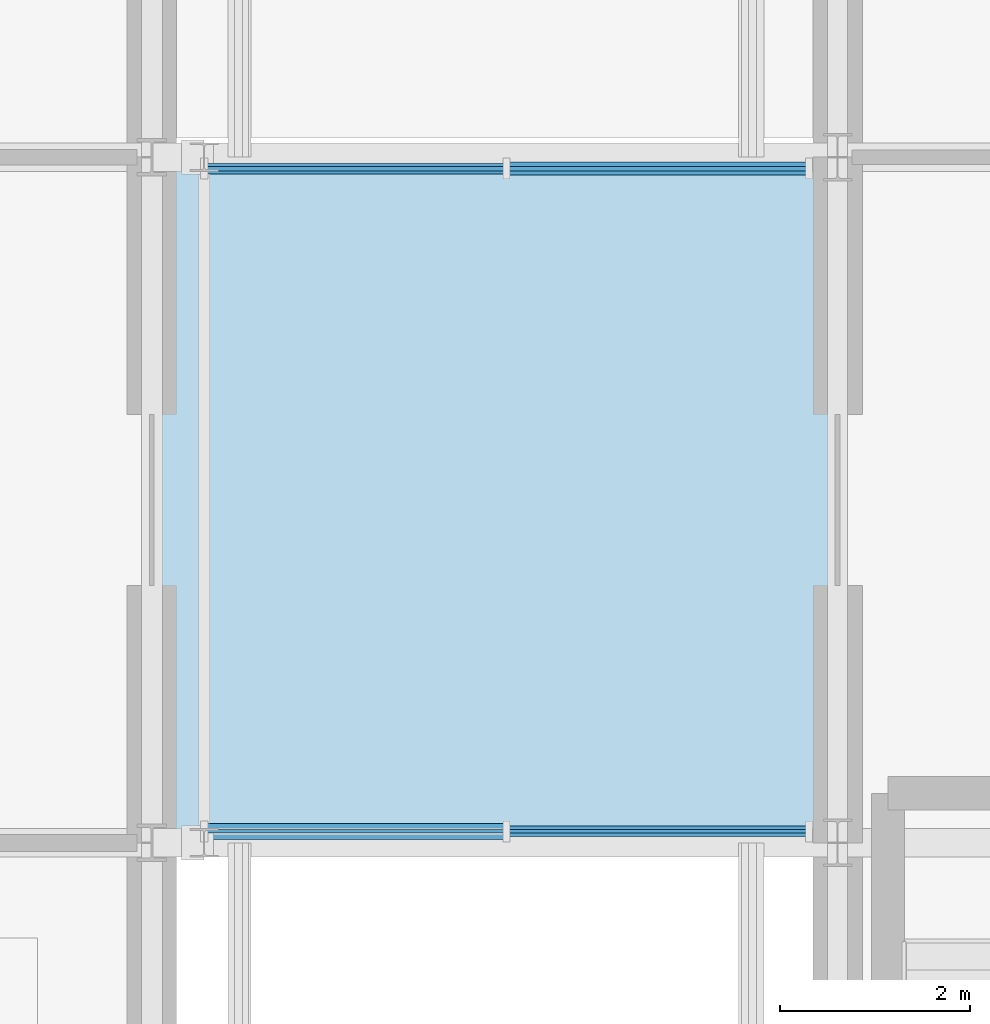
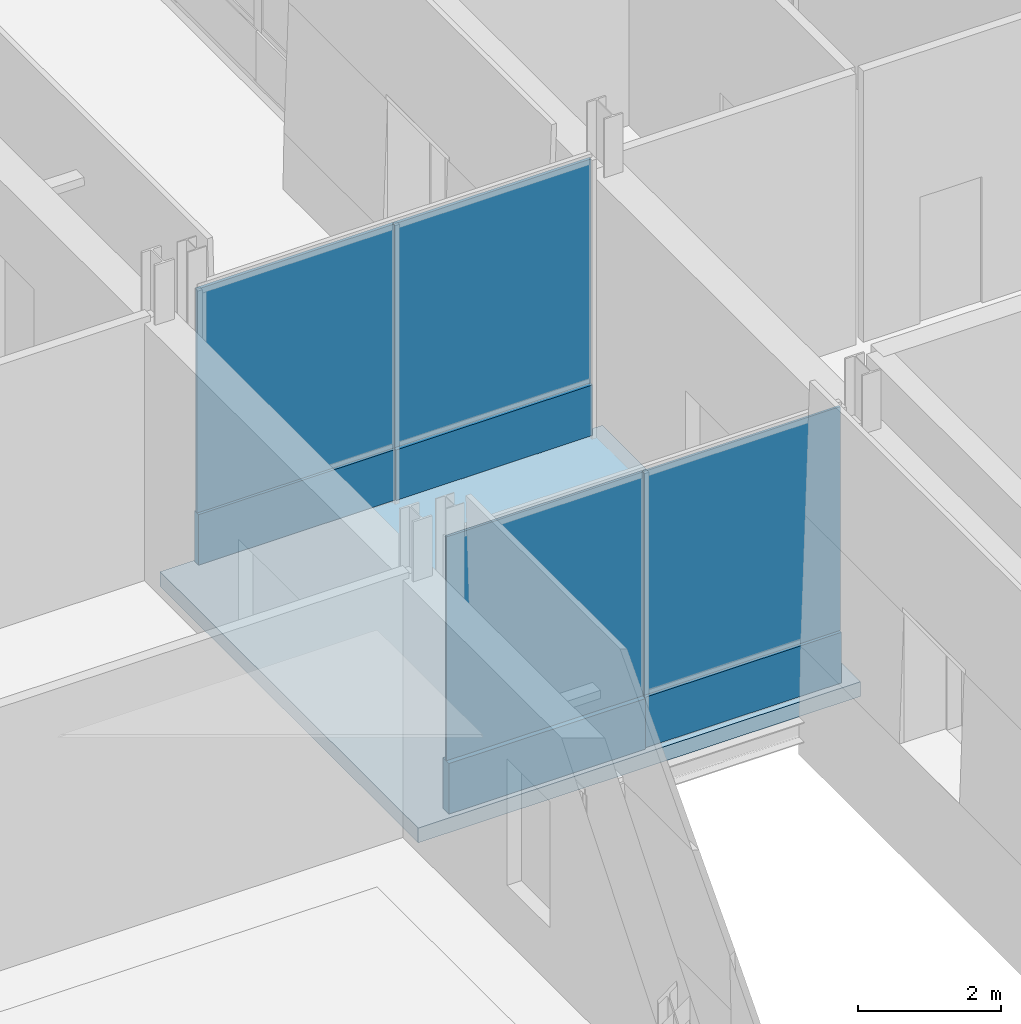
# One storey, part 55 of 120: 8 plates, 1 slab, 2 elements without a shape of their own.
"""IFC4 building model written with IfcOpenShell, lengths in metres."""

from ifc_helpers import new_model, si_unit, direction, frame, origin, origin_2d, place, context, subcontext, project, spatial, polyline, rectangle, outline, extrude, material, layer, layer_set, type_object, element, aggregate, save


model = new_model("IFC4")

# Units and contexts
model_context = context("Model", 3, precision=1e-05, world=origin(), true_north=direction((0.0, 1.0)))
body_context = subcontext(model_context, "Body", "Model", "MODEL_VIEW")
ifc_project = project(units=[si_unit("LENGTHUNIT", "METRE"), si_unit("AREAUNIT", "SQUARE_METRE"), si_unit("VOLUMEUNIT", "CUBIC_METRE"), si_unit("PLANEANGLEUNIT", "RADIAN"), si_unit("MASSUNIT", "GRAM", prefix="KILO")], contexts=[model_context])

# Site, building, storey
site_placement = place(None, origin())
site = spatial("IfcSite", under=ifc_project, at=site_placement, CompositionType="ELEMENT")
building_placement = place(site_placement, origin())
building = spatial("IfcBuilding", under=site, at=building_placement, Name="Narikvali Park Central Library", CompositionType="ELEMENT")
storey_placement = place(building_placement, origin())
storey = spatial("IfcBuildingStorey", under=building, at=storey_placement, Name="L00", CompositionType="ELEMENT", Elevation=0.0)

# Slab
ifc_material_1 = material(Name="Concrete C40/50", Category="concrete")
ifc_layer_1 = layer(ifc_material_1, 0.25, Name="Concrete C40/50")
ifc_layer_set_1 = layer_set([ifc_layer_1], Name="Concrete C40/50")
slab_type = type_object("IfcSlabType", Name="Bridge Sliding Deck Slab 250", PredefinedType="FLOOR", material=ifc_layer_set_1)
slab_placement = place(storey_placement, frame((0.0, 0.0, -0.25)))
element("IfcSlab", 1, at=slab_placement, inside=storey, type_object=slab_type, Name="BRG-1 L00 Covered Bridge Deck", PredefinedType="FLOOR", context=body_context, shape_type="SweptSolid", body=[
    extrude(outline(polyline([(21.639892578125, 64.800048828125), (28.760009765625, 64.800048828125), (28.760009765625, 72.0), (21.639892578125, 72.0), (21.639892578125, 64.800048828125)])), origin(), (0.0, 0.0, 1.0), 0.25),
])

# Curtain wall, plates
ifc_material_2 = material(Name="Anodised Bronze Aluminium", Category="aluminium")
ifc_layer_2 = layer(ifc_material_2, 0.219970703125, Name="Anodised Bronze Aluminium")
ifc_layer_set_2 = layer_set([ifc_layer_2], Name="Anodised Bronze Aluminium")
curtain_wall_type = type_object("IfcCurtainWallType", Name="Bridge Covered Passage Glazing System", PredefinedType="NOTDEFINED", material=ifc_layer_set_2)
curtain_wall_1_placement = place(storey_placement, origin())
curtain_wall_1 = element("IfcCurtainWall", 2, at=curtain_wall_1_placement, inside=storey, type_object=curtain_wall_type, Name="Bridge Covered Passage Glazing System CW-BRG-1-L00-S1", PredefinedType="NOTDEFINED")
ifc_material_3 = material(Name="Anodised Bronze Acoustic Spandrel Cassette")
ifc_layer_3 = layer(ifc_material_3, 0.1650390625, Name="Anodised Bronze Acoustic Spandrel Cassette")
ifc_layer_set_3 = layer_set([ifc_layer_3], Name="Anodised Bronze Acoustic Spandrel Cassette")
plate_type_1 = type_object("IfcPlateType", Name="Curtain Wall Acoustic Plenum Louvre Cassette 165", PredefinedType="CURTAIN_PANEL", material=ifc_layer_set_3)
plate_1_placement = place(storey_placement, frame((23.737548828125, 64.919921875, 0.03515625), z_axis=(0.0, 0.0, 1.0), x_axis=(1.0, 0.0, 0.0)))
plate_1 = element("IfcPlate", 3, at=plate_1_placement, type_object=plate_type_1, Name="CW-BRG-1-L00-S1 Panel 00-0", PredefinedType="CURTAIN_PANEL", context=body_context, shape_type="SweptSolid", body=[
    extrude(rectangle(XDim=3.1650390625, YDim=0.1650390625, at=origin_2d()), origin(), (0.0, 0.0, 1.0), 0.860107421875),
])
ifc_material_4 = material(Name="Double Low-E Tempered Vision Glazing", Category="glass")
ifc_layer_4 = layer(ifc_material_4, 0.035888671875, Name="Double Low-E Tempered Vision Glazing")
ifc_layer_set_4 = layer_set([ifc_layer_4], Name="Double Low-E Tempered Vision Glazing")
plate_type_2 = type_object("IfcPlateType", Name="Curtain Wall Double Low-E Vision Glazing 36", PredefinedType="CURTAIN_PANEL", material=ifc_layer_set_4)
plate_2_placement = place(storey_placement, frame((23.737548828125, 64.919921875, 0.905029296875), z_axis=(0.0, 0.0, 1.0), x_axis=(1.0, 0.0, 0.0)))
plate_2 = element("IfcPlate", 4, at=plate_2_placement, type_object=plate_type_2, Name="CW-BRG-1-L00-S1 Panel 00-1", PredefinedType="CURTAIN_PANEL", context=body_context, shape_type="SweptSolid", body=[
    extrude(rectangle(XDim=3.1650390625, YDim=0.035888671875, at=origin_2d()), origin(), (0.0, 0.0, 1.0), 3.81005859375),
])
plate_3_placement = place(storey_placement, frame((26.91259765625, 64.919921875, 0.905029296875), z_axis=(0.0, 0.0, 1.0), x_axis=(1.0, 0.0, 0.0)))
plate_3 = element("IfcPlate", 5, at=plate_3_placement, type_object=plate_type_2, Name="CW-BRG-1-L00-S1 Panel 01-1", PredefinedType="CURTAIN_PANEL", context=body_context, shape_type="SweptSolid", body=[
    extrude(rectangle(XDim=3.1650390625, YDim=0.035888671875, at=origin_2d()), origin(), (0.0, 0.0, 1.0), 3.81005859375),
])
ifc_material_5 = material(Name="Anodised Bronze Insulated Spandrel Cassette")
ifc_layer_5 = layer(ifc_material_5, 0.110107421875, Name="Anodised Bronze Insulated Spandrel Cassette")
ifc_layer_set_5 = layer_set([ifc_layer_5], Name="Anodised Bronze Insulated Spandrel Cassette")
plate_type_3 = type_object("IfcPlateType", Name="Curtain Wall Insulated Bronze Spandrel Cassette 110", PredefinedType="CURTAIN_PANEL", material=ifc_layer_set_5)
plate_4_placement = place(storey_placement, frame((26.91259765625, 64.919921875, 0.03515625), z_axis=(0.0, 0.0, 1.0), x_axis=(1.0, 0.0, 0.0)))
plate_4 = element("IfcPlate", 6, at=plate_4_placement, type_object=plate_type_3, Name="CW-BRG-1-L00-S1 Panel 01-0", PredefinedType="CURTAIN_PANEL", context=body_context, shape_type="SweptSolid", body=[
    extrude(rectangle(XDim=3.1650390625, YDim=0.110107421875, at=origin_2d()), origin(), (0.0, 0.0, 1.0), 0.860107421875),
])
aggregate(curtain_wall_1, [plate_1, plate_2, plate_4, plate_3])

curtain_wall_2_placement = place(storey_placement, origin())
curtain_wall_2 = element("IfcCurtainWall", 7, at=curtain_wall_2_placement, inside=storey, type_object=curtain_wall_type, Name="Bridge Covered Passage Glazing System CW-BRG-1-L00-N1", PredefinedType="NOTDEFINED")
plate_5_placement = place(storey_placement, frame((23.737548828125, 71.8798828125, 0.03515625), z_axis=(0.0, 0.0, 1.0), x_axis=(1.0, 0.0, 0.0)))
plate_5 = element("IfcPlate", 8, at=plate_5_placement, type_object=plate_type_3, Name="CW-BRG-1-L00-N1 Panel 00-0", PredefinedType="CURTAIN_PANEL", context=body_context, shape_type="SweptSolid", body=[
    extrude(rectangle(XDim=3.1650390625, YDim=0.110107421875, at=origin_2d()), origin(), (0.0, 0.0, 1.0), 0.860107421875),
])
ifc_material_6 = material(Name="Mineral-Wool Shadow-Box Spandrel Assembly")
ifc_layer_6 = layer(ifc_material_6, 0.139892578125, Name="Mineral-Wool Shadow-Box Spandrel Assembly")
ifc_layer_set_6 = layer_set([ifc_layer_6], Name="Mineral-Wool Shadow-Box Spandrel Assembly")
plate_type_4 = type_object("IfcPlateType", Name="Curtain Wall Shadow-Box Mineral Spandrel Panel 140", PredefinedType="CURTAIN_PANEL", material=ifc_layer_set_6)
plate_6_placement = place(storey_placement, frame((26.91259765625, 71.8798828125, 0.03515625), z_axis=(0.0, 0.0, 1.0), x_axis=(1.0, 0.0, 0.0)))
plate_6 = element("IfcPlate", 9, at=plate_6_placement, type_object=plate_type_4, Name="CW-BRG-1-L00-N1 Panel 01-0", PredefinedType="CURTAIN_PANEL", context=body_context, shape_type="SweptSolid", body=[
    extrude(rectangle(XDim=3.1650390625, YDim=0.139892578125, at=origin_2d()), origin(), (0.0, 0.0, 1.0), 0.860107421875),
])
ifc_material_7 = material(Name="Triple Low-E Acoustic Laminated Glazing", Category="glass")
ifc_layer_7 = layer(ifc_material_7, 0.048095703125, Name="Triple Low-E Acoustic Laminated Glazing")
ifc_layer_set_7 = layer_set([ifc_layer_7], Name="Triple Low-E Acoustic Laminated Glazing")
plate_type_5 = type_object("IfcPlateType", Name="Curtain Wall Triple Solar-Acoustic Glazing 48", PredefinedType="CURTAIN_PANEL", material=ifc_layer_set_7)
plate_7_placement = place(storey_placement, frame((23.737548828125, 71.8798828125, 0.905029296875), z_axis=(0.0, 0.0, 1.0), x_axis=(1.0, 0.0, 0.0)))
plate_7 = element("IfcPlate", 10, at=plate_7_placement, type_object=plate_type_5, Name="CW-BRG-1-L00-N1 Panel 00-1", PredefinedType="CURTAIN_PANEL", context=body_context, shape_type="SweptSolid", body=[
    extrude(rectangle(XDim=3.1650390625, YDim=0.048095703125, at=origin_2d()), origin(), (0.0, 0.0, 1.0), 3.81005859375),
])
plate_8_placement = place(storey_placement, frame((26.91259765625, 71.8798828125, 0.905029296875), z_axis=(0.0, 0.0, 1.0), x_axis=(1.0, 0.0, 0.0)))
plate_8 = element("IfcPlate", 11, at=plate_8_placement, type_object=plate_type_5, Name="CW-BRG-1-L00-N1 Panel 01-1", PredefinedType="CURTAIN_PANEL", context=body_context, shape_type="SweptSolid", body=[
    extrude(rectangle(XDim=3.1650390625, YDim=0.048095703125, at=origin_2d()), origin(), (0.0, 0.0, 1.0), 3.81005859375),
])
aggregate(curtain_wall_2, [plate_5, plate_7, plate_6, plate_8])

save(model, "model.ifc")
